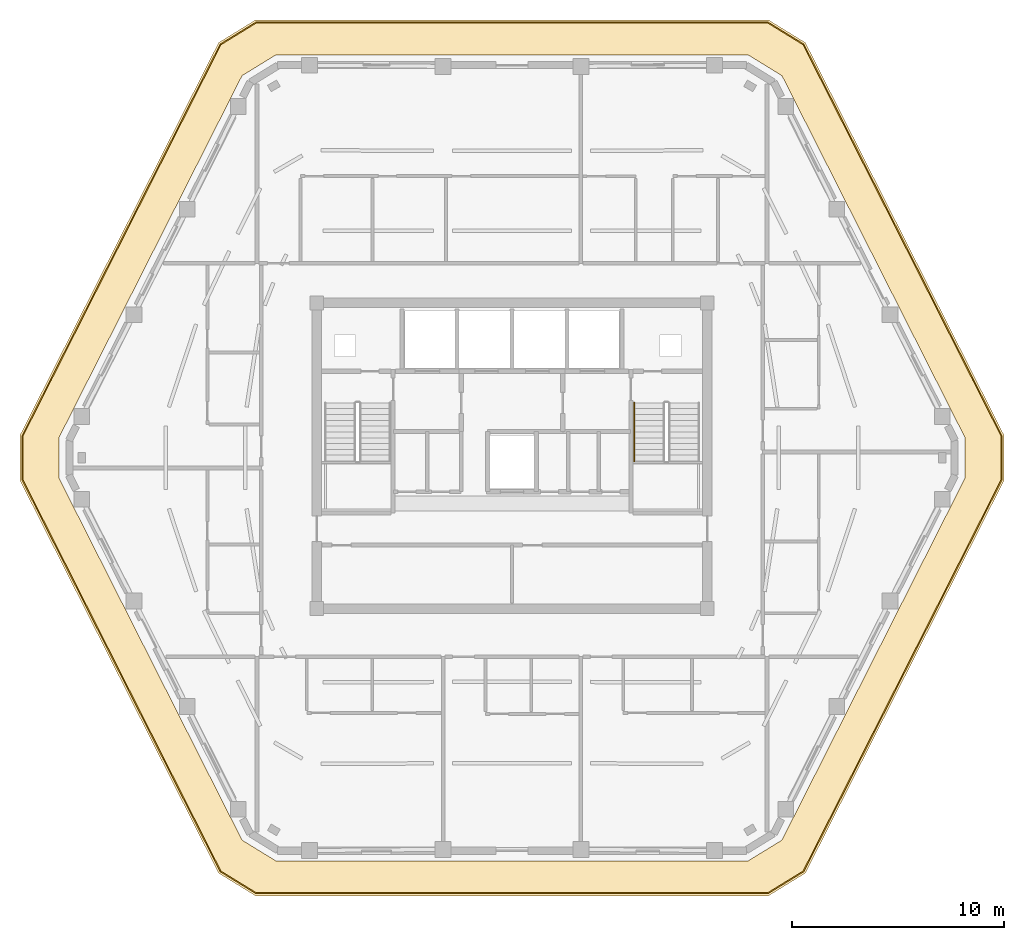
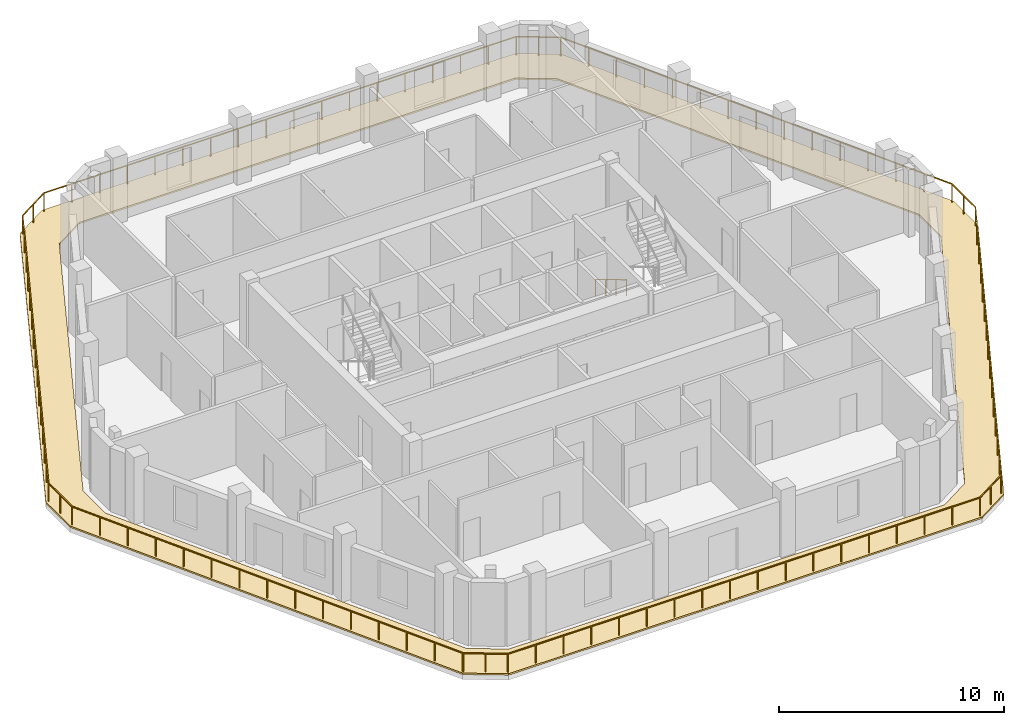
# One storey, part 9 of 10: 2 railings, 1 covering.
"""IFC4 building model written with IfcOpenShell, lengths in metres."""

from ifc_helpers import new_model, si_unit, direction, frame, origin, origin_2d, place, context, subcontext, project, spatial, polyline, rectangle, outline, extrude, material, layer, layer_set, type_object, element, save


model = new_model("IFC4")

# Units and contexts
model_context = context("Model", 3, precision=1e-05, world=origin(), true_north=direction((0.0, 1.0)))
body_context = subcontext(model_context, "Body", "Model", "MODEL_VIEW")
ifc_project = project(units=[si_unit("LENGTHUNIT", "METRE"), si_unit("AREAUNIT", "SQUARE_METRE"), si_unit("VOLUMEUNIT", "CUBIC_METRE"), si_unit("PLANEANGLEUNIT", "RADIAN"), si_unit("MASSUNIT", "GRAM", prefix="KILO")], contexts=[model_context])

# Site, building, storey
site_placement = place(None, origin())
site = spatial("IfcSite", under=ifc_project, at=site_placement, CompositionType="ELEMENT")
building_placement = place(site_placement, origin())
building = spatial("IfcBuilding", under=site, at=building_placement, Name="Cinnabar Lancet Tower", CompositionType="ELEMENT")
storey_placement = place(building_placement, frame((0.0, 0.0, 227.0)))
storey = spatial("IfcBuildingStorey", under=building, at=storey_placement, Name="L60", CompositionType="ELEMENT", Elevation=227.0)

# Covering
ifc_material_1 = material(Name="TPO single-ply insulated waterproof roofing membrane", Category="finish")
ifc_layer = layer(ifc_material_1, 0.0849609375)
ifc_layer_set = layer_set([ifc_layer], Name="TPO single-ply insulated waterproof roofing membrane")
covering_type = type_object("IfcCoveringType", Name="ARC-COV-ROOF-MEM", PredefinedType="ROOFING", material=ifc_layer_set)
covering_placement = place(storey_placement, origin())
element("IfcCovering", 1, at=covering_placement, inside=storey, type_object=covering_type, Name="L60 Insulated TPO Waterproof Roofing Membrane", PredefinedType="ROOFING", context=body_context, shape_type="SweptSolid", body=[
    extrude(outline(polyline([(18.530029296875, 6.1708984375), (20.27197265625, 5.10009765625), (44.528076171875, 5.10009765625), (46.27001953125, 6.1708984375), (55.657958984375, 24.72900390625), (55.657958984375, 26.87109375), (46.27001953125, 45.428955078125), (44.528076171875, 46.5), (20.27197265625, 46.5), (18.530029296875, 45.428955078125), (9.14208984375, 26.87109375), (9.14208984375, 24.72900390625), (18.530029296875, 6.1708984375)]), holes=[polyline([(19.638916015625, 7.73193359375), (21.236083984375, 6.75), (43.56396484375, 6.75), (45.160888671875, 7.73193359375), (53.802978515625, 24.818115234375), (53.802978515625, 26.781982421875), (45.160888671875, 43.867919921875), (43.56396484375, 44.85009765625), (21.236083984375, 44.85009765625), (19.638916015625, 43.867919921875), (10.9970703125, 26.781982421875), (10.9970703125, 24.818115234375), (19.638916015625, 7.73193359375)])]), origin(), (0.0, 0.0, 1.0), 0.0849609375),
])

# Railings
ifc_material_2 = material(Name="Laminated safety glass and bronze stainless steel balustrade", Category="steel")
railing_type_1 = type_object("IfcRailingType", Name="ENV-RLG-BAL-1100", PredefinedType="BALUSTRADE", material=ifc_material_2)
railing_1_placement = place(storey_placement, frame((18.6220703125, 6.2548828125, 0.0)))
element("IfcRailing", 2, at=railing_1_placement, inside=storey, type_object=railing_type_1, Name="L60 Setback Roof Terrace Perimeter Balustrade", PredefinedType="BALUSTRADE", context=body_context, shape_type="SweptSolid", body=[
    extrude(rectangle(XDim=0.048095703125, YDim=0.048095703125, at=origin_2d()), frame((0.0, 0.0, 1.076171875), z_axis=(0.85195082648, -0.523621799833, 0.0), x_axis=(0.523621799833, 0.85195082648, 0.0)), (0.0, 0.0, 1.0), 1.9765625),
    extrude(rectangle(XDim=0.048095703125, YDim=0.048095703125, at=origin_2d()), frame((1.683837890625, -1.034912109375, 1.076171875), z_axis=(1.0, 0.0, 0.0), x_axis=(0.0, 1.0, 0.0)), (0.0, 0.0, 1.0), 24.18798828125),
    extrude(rectangle(XDim=0.048095703125, YDim=0.048095703125, at=origin_2d()), frame((25.871826171875, -1.034912109375, 1.076171875), z_axis=(0.851984689149, 0.523566700102, 0.0), x_axis=(-0.523566700102, 0.851984689149, 0.0)), (0.0, 0.0, 1.0), 1.9765625),
    extrude(rectangle(XDim=0.048095703125, YDim=0.048095703125, at=origin_2d()), frame((27.555908203125, 0.0, 1.076171875), z_axis=(0.451395456834, 0.892324011528, 0.0), x_axis=(-0.892324011528, 0.451395456834, 0.0)), (0.0, 0.0, 1.0), 20.73583984375),
    extrude(rectangle(XDim=0.048095703125, YDim=0.048095703125, at=origin_2d()), frame((36.916015625, 18.503173828125, 1.076171875), z_axis=(0.0, 1.0, 0.0), x_axis=(-1.0, 0.0, 0.0)), (0.0, 0.0, 1.0), 2.083984375),
    extrude(rectangle(XDim=0.048095703125, YDim=0.048095703125, at=origin_2d()), frame((36.916015625, 20.587158203125, 1.076171875), z_axis=(-0.451400199255, 0.892321612488, 0.0), x_axis=(-0.892321612488, -0.451400199255, 0.0)), (0.0, 0.0, 1.0), 20.73583984375),
    extrude(rectangle(XDim=0.048095703125, YDim=0.048095703125, at=origin_2d()), frame((27.555908203125, 39.090087890625, 1.076171875), z_axis=(-0.851984689149, 0.523566700102, 0.0), x_axis=(-0.523566700102, -0.851984689149, 0.0)), (0.0, 0.0, 1.0), 1.9765625),
    extrude(rectangle(XDim=0.048095703125, YDim=0.048095703125, at=origin_2d()), frame((25.871826171875, 40.125, 1.076171875), z_axis=(-1.0, 0.0, 0.0), x_axis=(0.0, -1.0, 0.0)), (0.0, 0.0, 1.0), 24.18798828125),
    extrude(rectangle(XDim=0.048095703125, YDim=0.048095703125, at=origin_2d()), frame((1.683837890625, 40.125, 1.076171875), z_axis=(-0.85195082648, -0.523621799833, 0.0), x_axis=(0.523621799833, -0.85195082648, 0.0)), (0.0, 0.0, 1.0), 1.9765625),
    extrude(rectangle(XDim=0.048095703125, YDim=0.048095703125, at=origin_2d()), frame((0.0, 39.090087890625, 1.076171875), z_axis=(-0.451400199255, -0.892321612488, 0.0), x_axis=(0.892321612488, -0.451400199255, 0.0)), (0.0, 0.0, 1.0), 20.73583984375),
    extrude(rectangle(XDim=0.048095703125, YDim=0.048095703125, at=origin_2d()), frame((-9.360107421875, 20.587158203125, 1.076171875), z_axis=(0.0, -1.0, 0.0), x_axis=(1.0, 0.0, 0.0)), (0.0, 0.0, 1.0), 2.083984375),
    extrude(rectangle(XDim=0.048095703125, YDim=0.048095703125, at=origin_2d()), frame((-9.360107421875, 18.503173828125, 1.076171875), z_axis=(0.451403610159, -0.892319887, 0.0), x_axis=(0.892319887, 0.451403610159, 0.0)), (0.0, 0.0, 1.0), 20.695556640625),
    extrude(rectangle(XDim=0.0419921875, YDim=0.0419921875, at=origin_2d()), origin(), (0.0, 0.0, 1.0), 1.052001953125),
    extrude(rectangle(XDim=0.0419921875, YDim=0.0419921875, at=origin_2d()), frame((0.841796875, -0.517578125, 0.0)), (0.0, 0.0, 1.0), 1.052001953125),
    extrude(rectangle(XDim=0.0419921875, YDim=0.0419921875, at=origin_2d()), frame((1.683837890625, -1.034912109375, 0.0)), (0.0, 0.0, 1.0), 1.052001953125),
    extrude(rectangle(XDim=0.0419921875, YDim=0.0419921875, at=origin_2d()), frame((3.106689453125, -1.034912109375, 0.0)), (0.0, 0.0, 1.0), 1.052001953125),
    extrude(rectangle(XDim=0.0419921875, YDim=0.0419921875, at=origin_2d()), frame((4.529541015625, -1.034912109375, 0.0)), (0.0, 0.0, 1.0), 1.052001953125),
    extrude(rectangle(XDim=0.0419921875, YDim=0.0419921875, at=origin_2d()), frame((5.952392578125, -1.034912109375, 0.0)), (0.0, 0.0, 1.0), 1.052001953125),
    extrude(rectangle(XDim=0.0419921875, YDim=0.0419921875, at=origin_2d()), frame((7.375244140625, -1.034912109375, 0.0)), (0.0, 0.0, 1.0), 1.052001953125),
    extrude(rectangle(XDim=0.0419921875, YDim=0.0419921875, at=origin_2d()), frame((8.7978515625, -1.034912109375, 0.0)), (0.0, 0.0, 1.0), 1.052001953125),
    extrude(rectangle(XDim=0.0419921875, YDim=0.0419921875, at=origin_2d()), frame((10.220703125, -1.034912109375, 0.0)), (0.0, 0.0, 1.0), 1.052001953125),
    extrude(rectangle(XDim=0.0419921875, YDim=0.0419921875, at=origin_2d()), frame((11.6435546875, -1.034912109375, 0.0)), (0.0, 0.0, 1.0), 1.052001953125),
    extrude(rectangle(XDim=0.0419921875, YDim=0.0419921875, at=origin_2d()), frame((13.06640625, -1.034912109375, 0.0)), (0.0, 0.0, 1.0), 1.052001953125),
    extrude(rectangle(XDim=0.0419921875, YDim=0.0419921875, at=origin_2d()), frame((14.4892578125, -1.034912109375, 0.0)), (0.0, 0.0, 1.0), 1.052001953125),
    extrude(rectangle(XDim=0.0419921875, YDim=0.0419921875, at=origin_2d()), frame((15.912109375, -1.034912109375, 0.0)), (0.0, 0.0, 1.0), 1.052001953125),
    extrude(rectangle(XDim=0.0419921875, YDim=0.0419921875, at=origin_2d()), frame((17.3349609375, -1.034912109375, 0.0)), (0.0, 0.0, 1.0), 1.052001953125),
    extrude(rectangle(XDim=0.0419921875, YDim=0.0419921875, at=origin_2d()), frame((18.7578125, -1.034912109375, 0.0)), (0.0, 0.0, 1.0), 1.052001953125),
    extrude(rectangle(XDim=0.0419921875, YDim=0.0419921875, at=origin_2d()), frame((20.180419921875, -1.034912109375, 0.0)), (0.0, 0.0, 1.0), 1.052001953125),
    extrude(rectangle(XDim=0.0419921875, YDim=0.0419921875, at=origin_2d()), frame((21.603271484375, -1.034912109375, 0.0)), (0.0, 0.0, 1.0), 1.052001953125),
    extrude(rectangle(XDim=0.0419921875, YDim=0.0419921875, at=origin_2d()), frame((23.026123046875, -1.034912109375, 0.0)), (0.0, 0.0, 1.0), 1.052001953125),
    extrude(rectangle(XDim=0.0419921875, YDim=0.0419921875, at=origin_2d()), frame((24.448974609375, -1.034912109375, 0.0)), (0.0, 0.0, 1.0), 1.052001953125),
    extrude(rectangle(XDim=0.0419921875, YDim=0.0419921875, at=origin_2d()), frame((25.871826171875, -1.034912109375, 0.0)), (0.0, 0.0, 1.0), 1.052001953125),
    extrude(rectangle(XDim=0.0419921875, YDim=0.0419921875, at=origin_2d()), frame((26.7138671875, -0.517578125, 0.0)), (0.0, 0.0, 1.0), 1.052001953125),
    extrude(rectangle(XDim=0.0419921875, YDim=0.0419921875, at=origin_2d()), frame((27.555908203125, 0.0, 0.0)), (0.0, 0.0, 1.0), 1.052001953125),
    extrude(rectangle(XDim=0.0419921875, YDim=0.0419921875, at=origin_2d()), frame((28.224609375, 1.32177734375, 0.0)), (0.0, 0.0, 1.0), 1.052001953125),
    extrude(rectangle(XDim=0.0419921875, YDim=0.0419921875, at=origin_2d()), frame((28.89306640625, 2.643310546875, 0.0)), (0.0, 0.0, 1.0), 1.052001953125),
    extrude(rectangle(XDim=0.0419921875, YDim=0.0419921875, at=origin_2d()), frame((29.5615234375, 3.96484375, 0.0)), (0.0, 0.0, 1.0), 1.052001953125),
    extrude(rectangle(XDim=0.0419921875, YDim=0.0419921875, at=origin_2d()), frame((30.230224609375, 5.28662109375, 0.0)), (0.0, 0.0, 1.0), 1.052001953125),
    extrude(rectangle(XDim=0.0419921875, YDim=0.0419921875, at=origin_2d()), frame((30.89892578125, 6.6083984375, 0.0)), (0.0, 0.0, 1.0), 1.052001953125),
    extrude(rectangle(XDim=0.0419921875, YDim=0.0419921875, at=origin_2d()), frame((31.5673828125, 7.929931640625, 0.0)), (0.0, 0.0, 1.0), 1.052001953125),
    extrude(rectangle(XDim=0.0419921875, YDim=0.0419921875, at=origin_2d()), frame((32.23583984375, 9.25146484375, 0.0)), (0.0, 0.0, 1.0), 1.052001953125),
    extrude(rectangle(XDim=0.0419921875, YDim=0.0419921875, at=origin_2d()), frame((32.904541015625, 10.5732421875, 0.0)), (0.0, 0.0, 1.0), 1.052001953125),
    extrude(rectangle(XDim=0.0419921875, YDim=0.0419921875, at=origin_2d()), frame((33.5732421875, 11.89501953125, 0.0)), (0.0, 0.0, 1.0), 1.052001953125),
    extrude(rectangle(XDim=0.0419921875, YDim=0.0419921875, at=origin_2d()), frame((34.24169921875, 13.216552734375, 0.0)), (0.0, 0.0, 1.0), 1.052001953125),
    extrude(rectangle(XDim=0.0419921875, YDim=0.0419921875, at=origin_2d()), frame((34.91015625, 14.5380859375, 0.0)), (0.0, 0.0, 1.0), 1.052001953125),
    extrude(rectangle(XDim=0.0419921875, YDim=0.0419921875, at=origin_2d()), frame((35.578857421875, 15.85986328125, 0.0)), (0.0, 0.0, 1.0), 1.052001953125),
    extrude(rectangle(XDim=0.0419921875, YDim=0.0419921875, at=origin_2d()), frame((36.24755859375, 17.181640625, 0.0)), (0.0, 0.0, 1.0), 1.052001953125),
    extrude(rectangle(XDim=0.0419921875, YDim=0.0419921875, at=origin_2d()), frame((36.916015625, 18.503173828125, 0.0)), (0.0, 0.0, 1.0), 1.052001953125),
    extrude(rectangle(XDim=0.0419921875, YDim=0.0419921875, at=origin_2d()), frame((36.916015625, 19.545166015625, 0.0)), (0.0, 0.0, 1.0), 1.052001953125),
    extrude(rectangle(XDim=0.0419921875, YDim=0.0419921875, at=origin_2d()), frame((36.916015625, 20.587158203125, 0.0)), (0.0, 0.0, 1.0), 1.052001953125),
    extrude(rectangle(XDim=0.0419921875, YDim=0.0419921875, at=origin_2d()), frame((36.24755859375, 21.90869140625, 0.0)), (0.0, 0.0, 1.0), 1.052001953125),
    extrude(rectangle(XDim=0.0419921875, YDim=0.0419921875, at=origin_2d()), frame((35.578857421875, 23.23046875, 0.0)), (0.0, 0.0, 1.0), 1.052001953125),
    extrude(rectangle(XDim=0.0419921875, YDim=0.0419921875, at=origin_2d()), frame((34.91015625, 24.552001953125, 0.0)), (0.0, 0.0, 1.0), 1.052001953125),
    extrude(rectangle(XDim=0.0419921875, YDim=0.0419921875, at=origin_2d()), frame((34.24169921875, 25.873779296875, 0.0)), (0.0, 0.0, 1.0), 1.052001953125),
    extrude(rectangle(XDim=0.0419921875, YDim=0.0419921875, at=origin_2d()), frame((33.5732421875, 27.1953125, 0.0)), (0.0, 0.0, 1.0), 1.052001953125),
    extrude(rectangle(XDim=0.0419921875, YDim=0.0419921875, at=origin_2d()), frame((32.904541015625, 28.51708984375, 0.0)), (0.0, 0.0, 1.0), 1.052001953125),
    extrude(rectangle(XDim=0.0419921875, YDim=0.0419921875, at=origin_2d()), frame((32.23583984375, 29.838623046875, 0.0)), (0.0, 0.0, 1.0), 1.052001953125),
    extrude(rectangle(XDim=0.0419921875, YDim=0.0419921875, at=origin_2d()), frame((31.5673828125, 31.16015625, 0.0)), (0.0, 0.0, 1.0), 1.052001953125),
    extrude(rectangle(XDim=0.0419921875, YDim=0.0419921875, at=origin_2d()), frame((30.89892578125, 32.48193359375, 0.0)), (0.0, 0.0, 1.0), 1.052001953125),
    extrude(rectangle(XDim=0.0419921875, YDim=0.0419921875, at=origin_2d()), frame((30.230224609375, 33.803466796875, 0.0)), (0.0, 0.0, 1.0), 1.052001953125),
    extrude(rectangle(XDim=0.0419921875, YDim=0.0419921875, at=origin_2d()), frame((29.5615234375, 35.125244140625, 0.0)), (0.0, 0.0, 1.0), 1.052001953125),
    extrude(rectangle(XDim=0.0419921875, YDim=0.0419921875, at=origin_2d()), frame((28.89306640625, 36.44677734375, 0.0)), (0.0, 0.0, 1.0), 1.052001953125),
    extrude(rectangle(XDim=0.0419921875, YDim=0.0419921875, at=origin_2d()), frame((28.224609375, 37.7685546875, 0.0)), (0.0, 0.0, 1.0), 1.052001953125),
    extrude(rectangle(XDim=0.0419921875, YDim=0.0419921875, at=origin_2d()), frame((27.555908203125, 39.090087890625, 0.0)), (0.0, 0.0, 1.0), 1.052001953125),
    extrude(rectangle(XDim=0.0419921875, YDim=0.0419921875, at=origin_2d()), frame((26.7138671875, 39.607421875, 0.0)), (0.0, 0.0, 1.0), 1.052001953125),
    extrude(rectangle(XDim=0.0419921875, YDim=0.0419921875, at=origin_2d()), frame((25.871826171875, 40.125, 0.0)), (0.0, 0.0, 1.0), 1.052001953125),
    extrude(rectangle(XDim=0.0419921875, YDim=0.0419921875, at=origin_2d()), frame((24.448974609375, 40.125, 0.0)), (0.0, 0.0, 1.0), 1.052001953125),
    extrude(rectangle(XDim=0.0419921875, YDim=0.0419921875, at=origin_2d()), frame((23.026123046875, 40.125, 0.0)), (0.0, 0.0, 1.0), 1.052001953125),
    extrude(rectangle(XDim=0.0419921875, YDim=0.0419921875, at=origin_2d()), frame((21.603271484375, 40.125, 0.0)), (0.0, 0.0, 1.0), 1.052001953125),
    extrude(rectangle(XDim=0.0419921875, YDim=0.0419921875, at=origin_2d()), frame((20.180419921875, 40.125, 0.0)), (0.0, 0.0, 1.0), 1.052001953125),
    extrude(rectangle(XDim=0.0419921875, YDim=0.0419921875, at=origin_2d()), frame((18.7578125, 40.125, 0.0)), (0.0, 0.0, 1.0), 1.052001953125),
    extrude(rectangle(XDim=0.0419921875, YDim=0.0419921875, at=origin_2d()), frame((17.3349609375, 40.125, 0.0)), (0.0, 0.0, 1.0), 1.052001953125),
    extrude(rectangle(XDim=0.0419921875, YDim=0.0419921875, at=origin_2d()), frame((15.912109375, 40.125, 0.0)), (0.0, 0.0, 1.0), 1.052001953125),
    extrude(rectangle(XDim=0.0419921875, YDim=0.0419921875, at=origin_2d()), frame((14.4892578125, 40.125, 0.0)), (0.0, 0.0, 1.0), 1.052001953125),
    extrude(rectangle(XDim=0.0419921875, YDim=0.0419921875, at=origin_2d()), frame((13.06640625, 40.125, 0.0)), (0.0, 0.0, 1.0), 1.052001953125),
    extrude(rectangle(XDim=0.0419921875, YDim=0.0419921875, at=origin_2d()), frame((11.6435546875, 40.125, 0.0)), (0.0, 0.0, 1.0), 1.052001953125),
    extrude(rectangle(XDim=0.0419921875, YDim=0.0419921875, at=origin_2d()), frame((10.220703125, 40.125, 0.0)), (0.0, 0.0, 1.0), 1.052001953125),
    extrude(rectangle(XDim=0.0419921875, YDim=0.0419921875, at=origin_2d()), frame((8.7978515625, 40.125, 0.0)), (0.0, 0.0, 1.0), 1.052001953125),
    extrude(rectangle(XDim=0.0419921875, YDim=0.0419921875, at=origin_2d()), frame((7.375244140625, 40.125, 0.0)), (0.0, 0.0, 1.0), 1.052001953125),
    extrude(rectangle(XDim=0.0419921875, YDim=0.0419921875, at=origin_2d()), frame((5.952392578125, 40.125, 0.0)), (0.0, 0.0, 1.0), 1.052001953125),
    extrude(rectangle(XDim=0.0419921875, YDim=0.0419921875, at=origin_2d()), frame((4.529541015625, 40.125, 0.0)), (0.0, 0.0, 1.0), 1.052001953125),
    extrude(rectangle(XDim=0.0419921875, YDim=0.0419921875, at=origin_2d()), frame((3.106689453125, 40.125, 0.0)), (0.0, 0.0, 1.0), 1.052001953125),
    extrude(rectangle(XDim=0.0419921875, YDim=0.0419921875, at=origin_2d()), frame((1.683837890625, 40.125, 0.0)), (0.0, 0.0, 1.0), 1.052001953125),
    extrude(rectangle(XDim=0.0419921875, YDim=0.0419921875, at=origin_2d()), frame((0.841796875, 39.607421875, 0.0)), (0.0, 0.0, 1.0), 1.052001953125),
    extrude(rectangle(XDim=0.0419921875, YDim=0.0419921875, at=origin_2d()), frame((0.0, 39.090087890625, 0.0)), (0.0, 0.0, 1.0), 1.052001953125),
    extrude(rectangle(XDim=0.0419921875, YDim=0.0419921875, at=origin_2d()), frame((-0.66845703125, 37.7685546875, 0.0)), (0.0, 0.0, 1.0), 1.052001953125),
    extrude(rectangle(XDim=0.0419921875, YDim=0.0419921875, at=origin_2d()), frame((-1.337158203125, 36.44677734375, 0.0)), (0.0, 0.0, 1.0), 1.052001953125),
    extrude(rectangle(XDim=0.0419921875, YDim=0.0419921875, at=origin_2d()), frame((-2.005859375, 35.125244140625, 0.0)), (0.0, 0.0, 1.0), 1.052001953125),
    extrude(rectangle(XDim=0.0419921875, YDim=0.0419921875, at=origin_2d()), frame((-2.67431640625, 33.803466796875, 0.0)), (0.0, 0.0, 1.0), 1.052001953125),
    extrude(rectangle(XDim=0.0419921875, YDim=0.0419921875, at=origin_2d()), frame((-3.3427734375, 32.48193359375, 0.0)), (0.0, 0.0, 1.0), 1.052001953125),
    extrude(rectangle(XDim=0.0419921875, YDim=0.0419921875, at=origin_2d()), frame((-4.011474609375, 31.16015625, 0.0)), (0.0, 0.0, 1.0), 1.052001953125),
    extrude(rectangle(XDim=0.0419921875, YDim=0.0419921875, at=origin_2d()), frame((-4.68017578125, 29.838623046875, 0.0)), (0.0, 0.0, 1.0), 1.052001953125),
    extrude(rectangle(XDim=0.0419921875, YDim=0.0419921875, at=origin_2d()), frame((-5.3486328125, 28.51708984375, 0.0)), (0.0, 0.0, 1.0), 1.052001953125),
    extrude(rectangle(XDim=0.0419921875, YDim=0.0419921875, at=origin_2d()), frame((-6.017333984375, 27.1953125, 0.0)), (0.0, 0.0, 1.0), 1.052001953125),
    extrude(rectangle(XDim=0.0419921875, YDim=0.0419921875, at=origin_2d()), frame((-6.685791015625, 25.873779296875, 0.0)), (0.0, 0.0, 1.0), 1.052001953125),
    extrude(rectangle(XDim=0.0419921875, YDim=0.0419921875, at=origin_2d()), frame((-7.3544921875, 24.552001953125, 0.0)), (0.0, 0.0, 1.0), 1.052001953125),
    extrude(rectangle(XDim=0.0419921875, YDim=0.0419921875, at=origin_2d()), frame((-8.02294921875, 23.23046875, 0.0)), (0.0, 0.0, 1.0), 1.052001953125),
    extrude(rectangle(XDim=0.0419921875, YDim=0.0419921875, at=origin_2d()), frame((-8.69140625, 21.90869140625, 0.0)), (0.0, 0.0, 1.0), 1.052001953125),
    extrude(rectangle(XDim=0.0419921875, YDim=0.0419921875, at=origin_2d()), frame((-9.360107421875, 20.587158203125, 0.0)), (0.0, 0.0, 1.0), 1.052001953125),
    extrude(rectangle(XDim=0.0419921875, YDim=0.0419921875, at=origin_2d()), frame((-9.360107421875, 19.545166015625, 0.0)), (0.0, 0.0, 1.0), 1.052001953125),
    extrude(rectangle(XDim=0.0419921875, YDim=0.0419921875, at=origin_2d()), frame((-9.360107421875, 18.503173828125, 0.0)), (0.0, 0.0, 1.0), 1.052001953125),
    extrude(rectangle(XDim=0.0419921875, YDim=0.0419921875, at=origin_2d()), frame((-8.69287109375, 17.18408203125, 0.0)), (0.0, 0.0, 1.0), 1.052001953125),
    extrude(rectangle(XDim=0.0419921875, YDim=0.0419921875, at=origin_2d()), frame((-8.025634765625, 15.864990234375, 0.0)), (0.0, 0.0, 1.0), 1.052001953125),
    extrude(rectangle(XDim=0.0419921875, YDim=0.0419921875, at=origin_2d()), frame((-7.358154296875, 14.5458984375, 0.0)), (0.0, 0.0, 1.0), 1.052001953125),
    extrude(rectangle(XDim=0.0419921875, YDim=0.0419921875, at=origin_2d()), frame((-6.69091796875, 13.226806640625, 0.0)), (0.0, 0.0, 1.0), 1.052001953125),
    extrude(rectangle(XDim=0.0419921875, YDim=0.0419921875, at=origin_2d()), frame((-6.023681640625, 11.90771484375, 0.0)), (0.0, 0.0, 1.0), 1.052001953125),
    extrude(rectangle(XDim=0.0419921875, YDim=0.0419921875, at=origin_2d()), frame((-5.3564453125, 10.588623046875, 0.0)), (0.0, 0.0, 1.0), 1.052001953125),
    extrude(rectangle(XDim=0.0419921875, YDim=0.0419921875, at=origin_2d()), frame((-4.68896484375, 9.26953125, 0.0)), (0.0, 0.0, 1.0), 1.052001953125),
    extrude(rectangle(XDim=0.0419921875, YDim=0.0419921875, at=origin_2d()), frame((-4.021728515625, 7.95068359375, 0.0)), (0.0, 0.0, 1.0), 1.052001953125),
    extrude(rectangle(XDim=0.0419921875, YDim=0.0419921875, at=origin_2d()), frame((-3.3544921875, 6.631591796875, 0.0)), (0.0, 0.0, 1.0), 1.052001953125),
    extrude(rectangle(XDim=0.0419921875, YDim=0.0419921875, at=origin_2d()), frame((-2.687255859375, 5.3125, 0.0)), (0.0, 0.0, 1.0), 1.052001953125),
    extrude(rectangle(XDim=0.0419921875, YDim=0.0419921875, at=origin_2d()), frame((-2.02001953125, 3.993408203125, 0.0)), (0.0, 0.0, 1.0), 1.052001953125),
    extrude(rectangle(XDim=0.0419921875, YDim=0.0419921875, at=origin_2d()), frame((-1.3525390625, 2.67431640625, 0.0)), (0.0, 0.0, 1.0), 1.052001953125),
    extrude(rectangle(XDim=0.0419921875, YDim=0.0419921875, at=origin_2d()), frame((-0.685302734375, 1.355224609375, 0.0)), (0.0, 0.0, 1.0), 1.052001953125),
    extrude(rectangle(XDim=0.0419921875, YDim=0.0419921875, at=origin_2d()), frame((-0.01806640625, 0.0361328125, 0.0)), (0.0, 0.0, 1.0), 1.052001953125),
])
ifc_material_3 = material(Name="Brushed stainless steel handrail", Category="steel")
railing_type_2 = type_object("IfcRailingType", Name="HANDRAIL-STAIR", PredefinedType="HANDRAIL", material=ifc_material_3)
railing_2_placement = place(storey_placement, frame((38.175048828125, 28.39990234375, 0.166015625)))
element("IfcRailing", 3, at=railing_2_placement, inside=storey, type_object=railing_type_2, Name="L60 ST-2 stair handrail 1", PredefinedType="HANDRAIL", context=body_context, shape_type="SweptSolid", body=[
    extrude(rectangle(XDim=0.048095703125, YDim=0.048095703125, at=origin_2d()), frame((0.0, 0.0, 0.8759765625), z_axis=(0.0, -0.856263023582, 0.516540060834), x_axis=(1.0, 0.0, 0.0)), (0.0, 0.0, 1.0), 3.211669921875),
    extrude(rectangle(XDim=0.0419921875, YDim=0.0419921875, at=origin_2d()), origin(), (0.0, 0.0, 1.0), 0.851806640625),
    extrude(rectangle(XDim=0.0419921875, YDim=0.0419921875, at=origin_2d()), frame((0.0, -0.916748046875, 0.552978515625)), (0.0, 0.0, 1.0), 0.851806640625),
    extrude(rectangle(XDim=0.0419921875, YDim=0.0419921875, at=origin_2d()), frame((0.0, -1.833251953125, 1.10595703125)), (0.0, 0.0, 1.0), 0.851806640625),
    extrude(rectangle(XDim=0.0419921875, YDim=0.0419921875, at=origin_2d()), frame((0.0, -2.75, 1.658935546875)), (0.0, 0.0, 1.0), 0.851806640625),
])

save(model, "model.ifc")
